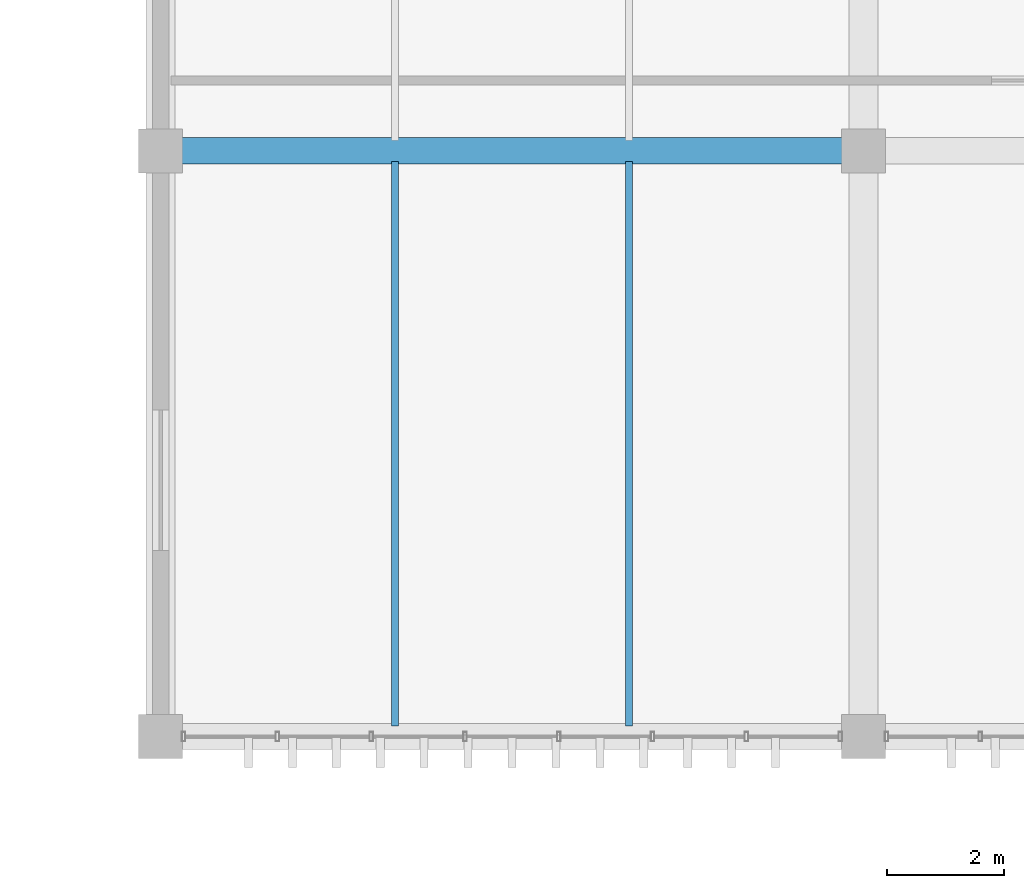
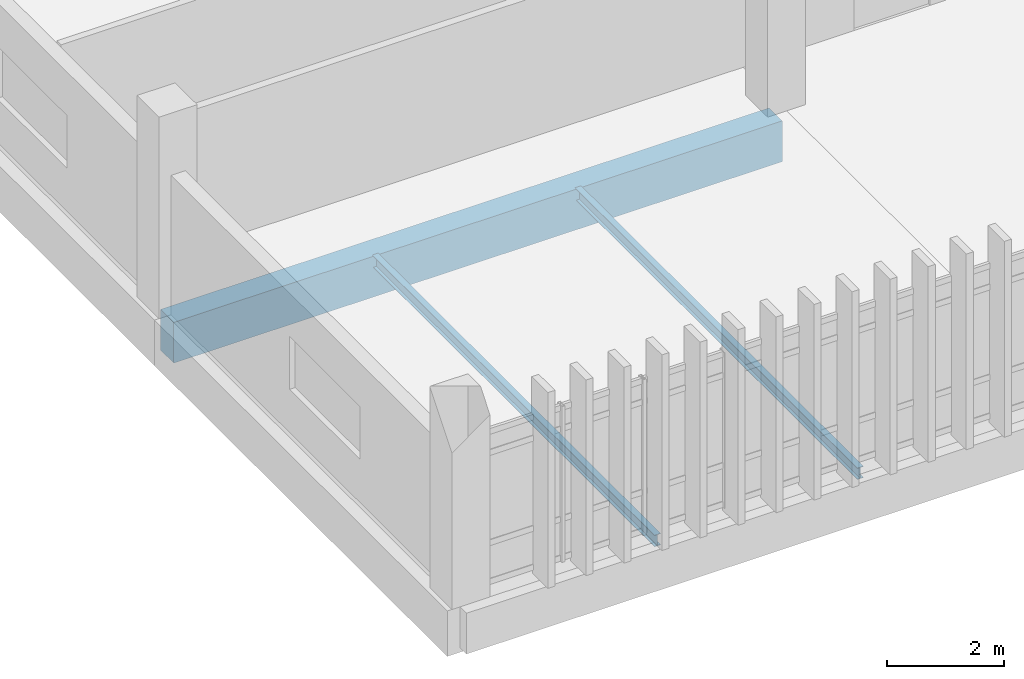
# One storey, part 24 of 111: 3 beams.
"""IFC4 building model written with IfcOpenShell, lengths in metres."""

from ifc_helpers import new_model, si_unit, direction, frame, origin, origin_2d, place, context, subcontext, project, spatial, rectangle, i_section, extrude, material, material_profile, profile_set, type_object, element, save


model = new_model("IFC4")

# Units and contexts
model_context = context("Model", 3, precision=1e-05, world=origin(), true_north=direction((0.0, 1.0)))
body_context = subcontext(model_context, "Body", "Model", "MODEL_VIEW")
ifc_project = project(units=[si_unit("LENGTHUNIT", "METRE"), si_unit("AREAUNIT", "SQUARE_METRE"), si_unit("VOLUMEUNIT", "CUBIC_METRE"), si_unit("PLANEANGLEUNIT", "RADIAN"), si_unit("MASSUNIT", "GRAM", prefix="KILO")], contexts=[model_context])

# Site, building, storey
site_placement = place(None, origin())
site = spatial("IfcSite", under=ifc_project, at=site_placement, CompositionType="ELEMENT")
building_placement = place(site_placement, origin())
building = spatial("IfcBuilding", under=site, at=building_placement, Name="Mersad Railyard Sports Hall", CompositionType="ELEMENT")
storey_placement = place(building_placement, frame((0.0, 0.0, 9.0)))
storey = spatial("IfcBuildingStorey", under=building, at=storey_placement, Name="L02", CompositionType="ELEMENT", Elevation=9.0)

# Beams
ifc_material_1 = material(Name="Concrete C40/50", Category="concrete")
ifc_material_profile_1 = material_profile(ifc_material_1, rectangle(XDim=0.449951171875, YDim=0.85009765625, at=origin_2d()), Name="RC 450x850")
ifc_profile_set_1 = profile_set([ifc_material_profile_1], Name="Concrete C40/50")
beam_type_1 = type_object("IfcBeamType", Name="STR-BM-B02", PredefinedType="BEAM", material=ifc_profile_set_1)
beam_placement = place(storey_placement, frame((43.0, 95.0, -0.72509765625), z_axis=(1.0, 0.0, 0.0), x_axis=(0.0, 1.0, 0.0)))
element("IfcBeam", 1, at=beam_placement, inside=storey, type_object=beam_type_1, Name="Beam B02-1073", PredefinedType="BEAM", context=body_context, shape_type="SweptSolid", body=[
    extrude(rectangle(XDim=0.449951171875, YDim=0.85009765625, at=origin_2d()), origin(), (0.0, 0.0, 1.0), 12.0),
])
ifc_material_2 = material(Name="Steel S355", Category="steel")
ifc_material_profile_2 = material_profile(ifc_material_2, i_section(OverallWidth=0.1201171875, OverallDepth=0.239990234375, WebThickness=0.006103515625, FlangeThickness=0.009765625, at=origin_2d()), Name="IPE 240")
ifc_profile_set_2 = profile_set([ifc_material_profile_2], Name="Steel S355")
beam_type_2 = type_object("IfcBeamType", Name="STR-BM-SB03", PredefinedType="BEAM", material=ifc_profile_set_2)
for number, where, z_axis, x_axis, name in (
    (2, (47.0, 85.179931640625, -0.419921875), (0.0, 1.0, 0.0), (-1.0, 0.0, 0.0), "Beam SB03-1149"),
    (3, (51.0, 85.179931640625, -0.419921875), (0.0, 1.0, 0.0), (-1.0, 0.0, 0.0), "Beam SB03-1150"),
):
    element("IfcBeam", number, at=place(storey_placement, frame(where, z_axis=z_axis, x_axis=x_axis)), inside=storey, type_object=beam_type_2, Name=name, PredefinedType="BEAM", context=body_context, shape_type="SweptSolid", body=[
        extrude(i_section(OverallWidth=0.1201171875, OverallDepth=0.239990234375, WebThickness=0.006103515625, FlangeThickness=0.009765625, at=origin_2d()), origin(), (0.0, 0.0, 1.0), 9.64013671875),
    ])

save(model, "model.ifc")
